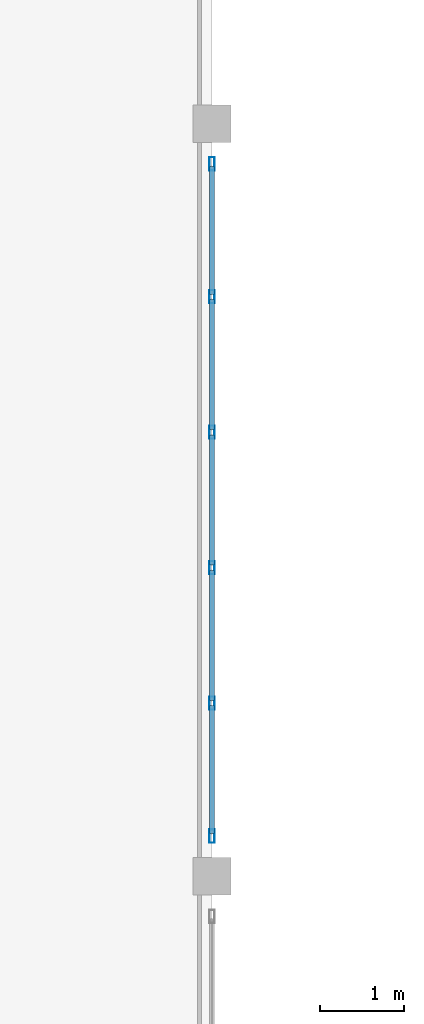
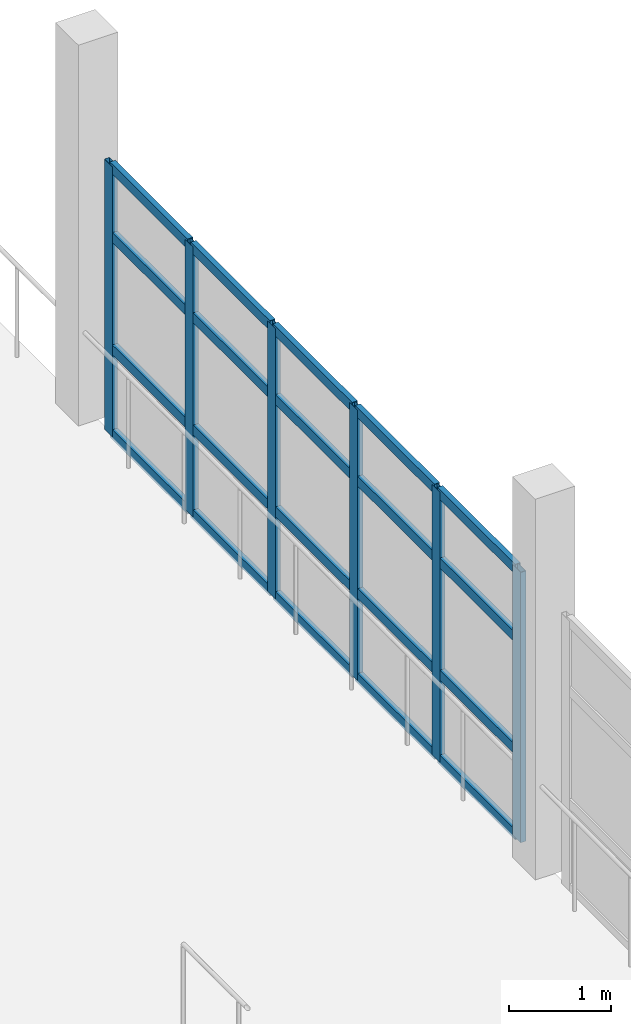
# One storey, part 27 of 80: 26 members, 1 element without a shape of its own.
"""IFC4 building model written with IfcOpenShell, lengths in metres."""

from ifc_helpers import new_model, si_unit, direction, frame, origin, origin_2d, place, context, subcontext, project, spatial, hollow_rectangle, extrude, material, layer, layer_set, material_profile, profile_set, type_object, element, aggregate, save


model = new_model("IFC4")

# Units and contexts
model_context = context("Model", 3, precision=1e-05, world=origin(), true_north=direction((0.0, 1.0)))
body_context = subcontext(model_context, "Body", "Model", "MODEL_VIEW")
ifc_project = project(units=[si_unit("LENGTHUNIT", "METRE"), si_unit("AREAUNIT", "SQUARE_METRE"), si_unit("VOLUMEUNIT", "CUBIC_METRE"), si_unit("PLANEANGLEUNIT", "RADIAN"), si_unit("MASSUNIT", "GRAM", prefix="KILO")], contexts=[model_context])

# Site, building, storey
site_placement = place(None, origin())
site = spatial("IfcSite", under=ifc_project, at=site_placement, CompositionType="ELEMENT")
building_placement = place(site_placement, origin())
building = spatial("IfcBuilding", under=site, at=building_placement, Name="Ornek Quay Market", CompositionType="ELEMENT")
storey_placement = place(building_placement, frame((0.0, 0.0, 8.39990234375)))
storey = spatial("IfcBuildingStorey", under=building, at=storey_placement, Name="L02", CompositionType="ELEMENT", Elevation=8.39990234375)

# Curtain wall, members
ifc_material_1 = material(Name="Anodised bronze aluminium and triple low-e glass", Category="aluminium")
ifc_layer = layer(ifc_material_1, 0.139892578125, Name="Anodised bronze aluminium and triple low-e glass", Category="aluminium")
ifc_layer_set = layer_set([ifc_layer], Name="Anodised bronze aluminium and triple low-e glass")
curtain_wall_type = type_object("IfcCurtainWallType", Name="CW-GALLERY-INT", PredefinedType="USERDEFINED", material=ifc_layer_set)
curtain_wall_placement = place(storey_placement, origin())
curtain_wall = element("IfcCurtainWall", 1, at=curtain_wall_placement, inside=storey, type_object=curtain_wall_type, Name="Curtain wall CW-114", ObjectType="CURTAIN WALL", PredefinedType="USERDEFINED")
ifc_material_2 = material(Name="Anodised aluminium 6063-T6", Category="aluminium")
ifc_material_profile_1 = material_profile(ifc_material_2, hollow_rectangle(XDim=0.06005859375, YDim=0.159912109375, WallThickness=0.00390625, at=origin_2d()), Name="CW-MUL-60x160", Category="aluminium")
ifc_profile_set_1 = profile_set([ifc_material_profile_1], Name="Anodised aluminium 6063-T6")
member_type_1 = type_object("IfcMemberType", Name="CW-MUL-60x160", PredefinedType="MULLION", material=ifc_profile_set_1)
member_1_placement = place(storey_placement, frame((72.0, 74.47998046875, 0.0), z_axis=(0.0, 0.0, 1.0), x_axis=(-1.0, 0.0, 0.0)))
member_1 = element("IfcMember", 2, at=member_1_placement, type_object=member_type_1, Name="CW-114 mullion 1", PredefinedType="MULLION", context=body_context, shape_type="SweptSolid", body=[
    extrude(hollow_rectangle(XDim=0.06005859375, YDim=0.159912109375, WallThickness=0.00390625, at=origin_2d()), origin(), (0.0, 0.0, 1.0), 3.25),
])
member_2_placement = place(storey_placement, frame((72.0, 76.070068359375, 0.0), z_axis=(0.0, 0.0, 1.0), x_axis=(-1.0, 0.0, 0.0)))
member_2 = element("IfcMember", 3, at=member_2_placement, type_object=member_type_1, Name="CW-114 mullion 2", PredefinedType="MULLION", context=body_context, shape_type="SweptSolid", body=[
    extrude(hollow_rectangle(XDim=0.06005859375, YDim=0.159912109375, WallThickness=0.00390625, at=origin_2d()), origin(), (0.0, 0.0, 1.0), 3.25),
])
member_3_placement = place(storey_placement, frame((72.0, 77.68994140625, 0.0), z_axis=(0.0, 0.0, 1.0), x_axis=(-1.0, 0.0, 0.0)))
member_3 = element("IfcMember", 4, at=member_3_placement, type_object=member_type_1, Name="CW-114 mullion 3", PredefinedType="MULLION", context=body_context, shape_type="SweptSolid", body=[
    extrude(hollow_rectangle(XDim=0.06005859375, YDim=0.159912109375, WallThickness=0.00390625, at=origin_2d()), origin(), (0.0, 0.0, 1.0), 3.25),
])
member_4_placement = place(storey_placement, frame((72.0, 79.31005859375, 0.0), z_axis=(0.0, 0.0, 1.0), x_axis=(-1.0, 0.0, 0.0)))
member_4 = element("IfcMember", 5, at=member_4_placement, type_object=member_type_1, Name="CW-114 mullion 4", PredefinedType="MULLION", context=body_context, shape_type="SweptSolid", body=[
    extrude(hollow_rectangle(XDim=0.06005859375, YDim=0.159912109375, WallThickness=0.00390625, at=origin_2d()), origin(), (0.0, 0.0, 1.0), 3.25),
])
member_5_placement = place(storey_placement, frame((72.0, 80.929931640625, 0.0), z_axis=(0.0, 0.0, 1.0), x_axis=(-1.0, 0.0, 0.0)))
member_5 = element("IfcMember", 6, at=member_5_placement, type_object=member_type_1, Name="CW-114 mullion 5", PredefinedType="MULLION", context=body_context, shape_type="SweptSolid", body=[
    extrude(hollow_rectangle(XDim=0.06005859375, YDim=0.159912109375, WallThickness=0.00390625, at=origin_2d()), origin(), (0.0, 0.0, 1.0), 3.25),
])
member_6_placement = place(storey_placement, frame((72.0, 82.52001953125, 0.0), z_axis=(0.0, 0.0, 1.0), x_axis=(-1.0, 0.0, 0.0)))
member_6 = element("IfcMember", 7, at=member_6_placement, type_object=member_type_1, Name="CW-114 mullion 6", PredefinedType="MULLION", context=body_context, shape_type="SweptSolid", body=[
    extrude(hollow_rectangle(XDim=0.06005859375, YDim=0.159912109375, WallThickness=0.00390625, at=origin_2d()), origin(), (0.0, 0.0, 1.0), 3.25),
])
ifc_material_profile_2 = material_profile(ifc_material_2, hollow_rectangle(XDim=0.06005859375, YDim=0.1201171875, WallThickness=0.00390625, at=origin_2d()), Name="CW-TRN-60x120", Category="aluminium")
ifc_profile_set_2 = profile_set([ifc_material_profile_2], Name="Anodised aluminium 6063-T6")
member_type_2 = type_object("IfcMemberType", Name="CW-TRN-60x120", PredefinedType="USERDEFINED", material=ifc_profile_set_2)
member_7_placement = place(storey_placement, frame((72.0, 74.510009765625, 0.030029296875), z_axis=(0.0, 1.0, 0.0), x_axis=(-1.0, 0.0, 0.0)))
member_7 = element("IfcMember", 8, at=member_7_placement, type_object=member_type_2, Name="CW-114 transom 1.1", ObjectType="TRANSOM", PredefinedType="USERDEFINED", context=body_context, shape_type="SweptSolid", body=[
    extrude(hollow_rectangle(XDim=0.06005859375, YDim=0.1201171875, WallThickness=0.00390625, at=origin_2d()), origin(), (0.0, 0.0, 1.0), 1.530029296875),
])
member_8_placement = place(storey_placement, frame((72.0, 74.510009765625, 1.050048828125), z_axis=(0.0, 1.0, 0.0), x_axis=(-1.0, 0.0, 0.0)))
member_8 = element("IfcMember", 9, at=member_8_placement, type_object=member_type_2, Name="CW-114 transom 1.2", ObjectType="TRANSOM", PredefinedType="USERDEFINED", context=body_context, shape_type="SweptSolid", body=[
    extrude(hollow_rectangle(XDim=0.06005859375, YDim=0.1201171875, WallThickness=0.00390625, at=origin_2d()), origin(), (0.0, 0.0, 1.0), 1.530029296875),
])
member_9_placement = place(storey_placement, frame((72.0, 74.510009765625, 2.400146484375), z_axis=(0.0, 1.0, 0.0), x_axis=(-1.0, 0.0, 0.0)))
member_9 = element("IfcMember", 10, at=member_9_placement, type_object=member_type_2, Name="CW-114 transom 1.3", ObjectType="TRANSOM", PredefinedType="USERDEFINED", context=body_context, shape_type="SweptSolid", body=[
    extrude(hollow_rectangle(XDim=0.06005859375, YDim=0.1201171875, WallThickness=0.00390625, at=origin_2d()), origin(), (0.0, 0.0, 1.0), 1.530029296875),
])
member_10_placement = place(storey_placement, frame((72.0, 74.510009765625, 3.22021484375), z_axis=(0.0, 1.0, 0.0), x_axis=(-1.0, 0.0, 0.0)))
member_10 = element("IfcMember", 11, at=member_10_placement, type_object=member_type_2, Name="CW-114 transom 1.4", ObjectType="TRANSOM", PredefinedType="USERDEFINED", context=body_context, shape_type="SweptSolid", body=[
    extrude(hollow_rectangle(XDim=0.06005859375, YDim=0.1201171875, WallThickness=0.00390625, at=origin_2d()), origin(), (0.0, 0.0, 1.0), 1.530029296875),
])
member_11_placement = place(storey_placement, frame((72.0, 76.10009765625, 0.030029296875), z_axis=(0.0, 1.0, 0.0), x_axis=(-1.0, 0.0, 0.0)))
member_11 = element("IfcMember", 12, at=member_11_placement, type_object=member_type_2, Name="CW-114 transom 2.1", ObjectType="TRANSOM", PredefinedType="USERDEFINED", context=body_context, shape_type="SweptSolid", body=[
    extrude(hollow_rectangle(XDim=0.06005859375, YDim=0.1201171875, WallThickness=0.00390625, at=origin_2d()), origin(), (0.0, 0.0, 1.0), 1.559814453125),
])
member_12_placement = place(storey_placement, frame((72.0, 76.10009765625, 1.050048828125), z_axis=(0.0, 1.0, 0.0), x_axis=(-1.0, 0.0, 0.0)))
member_12 = element("IfcMember", 13, at=member_12_placement, type_object=member_type_2, Name="CW-114 transom 2.2", ObjectType="TRANSOM", PredefinedType="USERDEFINED", context=body_context, shape_type="SweptSolid", body=[
    extrude(hollow_rectangle(XDim=0.06005859375, YDim=0.1201171875, WallThickness=0.00390625, at=origin_2d()), origin(), (0.0, 0.0, 1.0), 1.559814453125),
])
member_13_placement = place(storey_placement, frame((72.0, 76.10009765625, 2.400146484375), z_axis=(0.0, 1.0, 0.0), x_axis=(-1.0, 0.0, 0.0)))
member_13 = element("IfcMember", 14, at=member_13_placement, type_object=member_type_2, Name="CW-114 transom 2.3", ObjectType="TRANSOM", PredefinedType="USERDEFINED", context=body_context, shape_type="SweptSolid", body=[
    extrude(hollow_rectangle(XDim=0.06005859375, YDim=0.1201171875, WallThickness=0.00390625, at=origin_2d()), origin(), (0.0, 0.0, 1.0), 1.559814453125),
])
member_14_placement = place(storey_placement, frame((72.0, 76.10009765625, 3.22021484375), z_axis=(0.0, 1.0, 0.0), x_axis=(-1.0, 0.0, 0.0)))
member_14 = element("IfcMember", 15, at=member_14_placement, type_object=member_type_2, Name="CW-114 transom 2.4", ObjectType="TRANSOM", PredefinedType="USERDEFINED", context=body_context, shape_type="SweptSolid", body=[
    extrude(hollow_rectangle(XDim=0.06005859375, YDim=0.1201171875, WallThickness=0.00390625, at=origin_2d()), origin(), (0.0, 0.0, 1.0), 1.559814453125),
])
member_15_placement = place(storey_placement, frame((72.0, 77.719970703125, 0.030029296875), z_axis=(0.0, 1.0, 0.0), x_axis=(-1.0, 0.0, 0.0)))
member_15 = element("IfcMember", 16, at=member_15_placement, type_object=member_type_2, Name="CW-114 transom 3.1", ObjectType="TRANSOM", PredefinedType="USERDEFINED", context=body_context, shape_type="SweptSolid", body=[
    extrude(hollow_rectangle(XDim=0.06005859375, YDim=0.1201171875, WallThickness=0.00390625, at=origin_2d()), origin(), (0.0, 0.0, 1.0), 1.56005859375),
])
member_16_placement = place(storey_placement, frame((72.0, 77.719970703125, 1.050048828125), z_axis=(0.0, 1.0, 0.0), x_axis=(-1.0, 0.0, 0.0)))
member_16 = element("IfcMember", 17, at=member_16_placement, type_object=member_type_2, Name="CW-114 transom 3.2", ObjectType="TRANSOM", PredefinedType="USERDEFINED", context=body_context, shape_type="SweptSolid", body=[
    extrude(hollow_rectangle(XDim=0.06005859375, YDim=0.1201171875, WallThickness=0.00390625, at=origin_2d()), origin(), (0.0, 0.0, 1.0), 1.56005859375),
])
member_17_placement = place(storey_placement, frame((72.0, 77.719970703125, 2.400146484375), z_axis=(0.0, 1.0, 0.0), x_axis=(-1.0, 0.0, 0.0)))
member_17 = element("IfcMember", 18, at=member_17_placement, type_object=member_type_2, Name="CW-114 transom 3.3", ObjectType="TRANSOM", PredefinedType="USERDEFINED", context=body_context, shape_type="SweptSolid", body=[
    extrude(hollow_rectangle(XDim=0.06005859375, YDim=0.1201171875, WallThickness=0.00390625, at=origin_2d()), origin(), (0.0, 0.0, 1.0), 1.56005859375),
])
member_18_placement = place(storey_placement, frame((72.0, 77.719970703125, 3.22021484375), z_axis=(0.0, 1.0, 0.0), x_axis=(-1.0, 0.0, 0.0)))
member_18 = element("IfcMember", 19, at=member_18_placement, type_object=member_type_2, Name="CW-114 transom 3.4", ObjectType="TRANSOM", PredefinedType="USERDEFINED", context=body_context, shape_type="SweptSolid", body=[
    extrude(hollow_rectangle(XDim=0.06005859375, YDim=0.1201171875, WallThickness=0.00390625, at=origin_2d()), origin(), (0.0, 0.0, 1.0), 1.56005859375),
])
member_19_placement = place(storey_placement, frame((72.0, 79.340087890625, 0.030029296875), z_axis=(0.0, 1.0, 0.0), x_axis=(-1.0, 0.0, 0.0)))
member_19 = element("IfcMember", 20, at=member_19_placement, type_object=member_type_2, Name="CW-114 transom 4.1", ObjectType="TRANSOM", PredefinedType="USERDEFINED", context=body_context, shape_type="SweptSolid", body=[
    extrude(hollow_rectangle(XDim=0.06005859375, YDim=0.1201171875, WallThickness=0.00390625, at=origin_2d()), origin(), (0.0, 0.0, 1.0), 1.559814453125),
])
member_20_placement = place(storey_placement, frame((72.0, 79.340087890625, 1.050048828125), z_axis=(0.0, 1.0, 0.0), x_axis=(-1.0, 0.0, 0.0)))
member_20 = element("IfcMember", 21, at=member_20_placement, type_object=member_type_2, Name="CW-114 transom 4.2", ObjectType="TRANSOM", PredefinedType="USERDEFINED", context=body_context, shape_type="SweptSolid", body=[
    extrude(hollow_rectangle(XDim=0.06005859375, YDim=0.1201171875, WallThickness=0.00390625, at=origin_2d()), origin(), (0.0, 0.0, 1.0), 1.559814453125),
])
member_21_placement = place(storey_placement, frame((72.0, 79.340087890625, 2.400146484375), z_axis=(0.0, 1.0, 0.0), x_axis=(-1.0, 0.0, 0.0)))
member_21 = element("IfcMember", 22, at=member_21_placement, type_object=member_type_2, Name="CW-114 transom 4.3", ObjectType="TRANSOM", PredefinedType="USERDEFINED", context=body_context, shape_type="SweptSolid", body=[
    extrude(hollow_rectangle(XDim=0.06005859375, YDim=0.1201171875, WallThickness=0.00390625, at=origin_2d()), origin(), (0.0, 0.0, 1.0), 1.559814453125),
])
member_22_placement = place(storey_placement, frame((72.0, 79.340087890625, 3.22021484375), z_axis=(0.0, 1.0, 0.0), x_axis=(-1.0, 0.0, 0.0)))
member_22 = element("IfcMember", 23, at=member_22_placement, type_object=member_type_2, Name="CW-114 transom 4.4", ObjectType="TRANSOM", PredefinedType="USERDEFINED", context=body_context, shape_type="SweptSolid", body=[
    extrude(hollow_rectangle(XDim=0.06005859375, YDim=0.1201171875, WallThickness=0.00390625, at=origin_2d()), origin(), (0.0, 0.0, 1.0), 1.559814453125),
])
member_23_placement = place(storey_placement, frame((72.0, 80.9599609375, 0.030029296875), z_axis=(0.0, 1.0, 0.0), x_axis=(-1.0, 0.0, 0.0)))
member_23 = element("IfcMember", 24, at=member_23_placement, type_object=member_type_2, Name="CW-114 transom 5.1", ObjectType="TRANSOM", PredefinedType="USERDEFINED", context=body_context, shape_type="SweptSolid", body=[
    extrude(hollow_rectangle(XDim=0.06005859375, YDim=0.1201171875, WallThickness=0.00390625, at=origin_2d()), origin(), (0.0, 0.0, 1.0), 1.530029296875),
])
member_24_placement = place(storey_placement, frame((72.0, 80.9599609375, 1.050048828125), z_axis=(0.0, 1.0, 0.0), x_axis=(-1.0, 0.0, 0.0)))
member_24 = element("IfcMember", 25, at=member_24_placement, type_object=member_type_2, Name="CW-114 transom 5.2", ObjectType="TRANSOM", PredefinedType="USERDEFINED", context=body_context, shape_type="SweptSolid", body=[
    extrude(hollow_rectangle(XDim=0.06005859375, YDim=0.1201171875, WallThickness=0.00390625, at=origin_2d()), origin(), (0.0, 0.0, 1.0), 1.530029296875),
])
member_25_placement = place(storey_placement, frame((72.0, 80.9599609375, 2.400146484375), z_axis=(0.0, 1.0, 0.0), x_axis=(-1.0, 0.0, 0.0)))
member_25 = element("IfcMember", 26, at=member_25_placement, type_object=member_type_2, Name="CW-114 transom 5.3", ObjectType="TRANSOM", PredefinedType="USERDEFINED", context=body_context, shape_type="SweptSolid", body=[
    extrude(hollow_rectangle(XDim=0.06005859375, YDim=0.1201171875, WallThickness=0.00390625, at=origin_2d()), origin(), (0.0, 0.0, 1.0), 1.530029296875),
])
member_26_placement = place(storey_placement, frame((72.0, 80.9599609375, 3.22021484375), z_axis=(0.0, 1.0, 0.0), x_axis=(-1.0, 0.0, 0.0)))
member_26 = element("IfcMember", 27, at=member_26_placement, type_object=member_type_2, Name="CW-114 transom 5.4", ObjectType="TRANSOM", PredefinedType="USERDEFINED", context=body_context, shape_type="SweptSolid", body=[
    extrude(hollow_rectangle(XDim=0.06005859375, YDim=0.1201171875, WallThickness=0.00390625, at=origin_2d()), origin(), (0.0, 0.0, 1.0), 1.530029296875),
])
aggregate(curtain_wall, [member_1, member_2, member_3, member_4, member_5, member_6, member_7, member_8, member_9, member_10, member_11, member_12, member_13, member_14, member_15, member_16, member_17, member_18, member_19, member_20, member_21, member_22, member_23, member_24, member_25, member_26])

save(model, "model.ifc")
